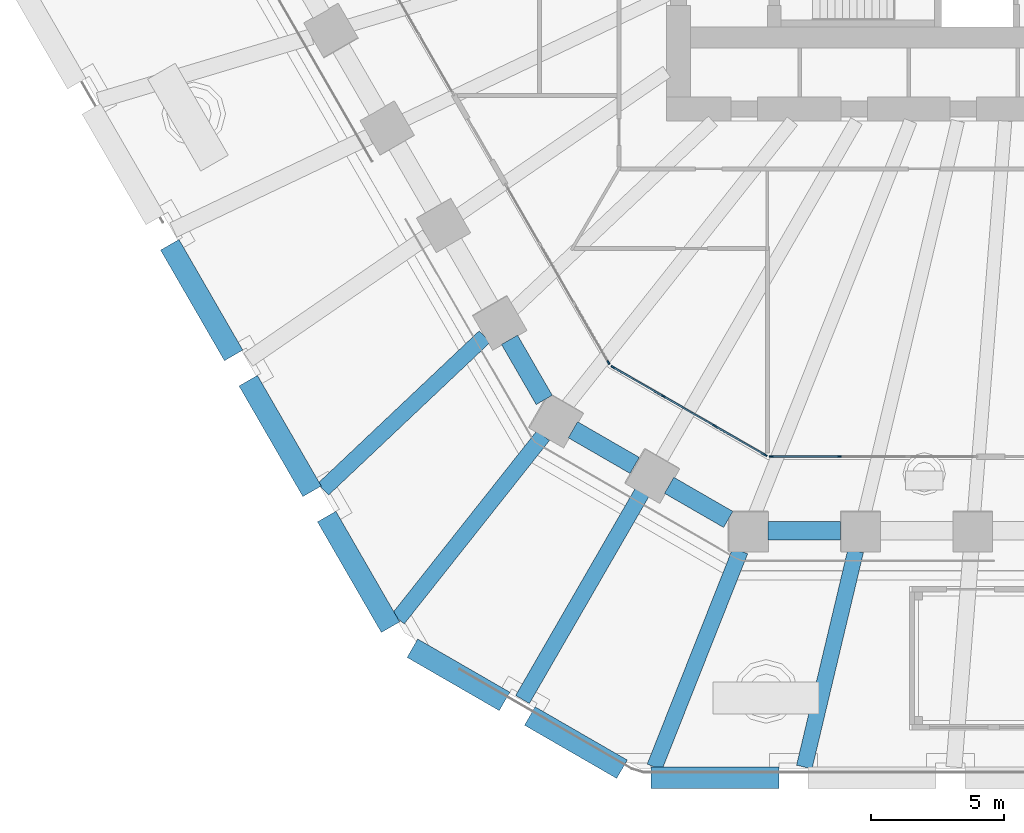
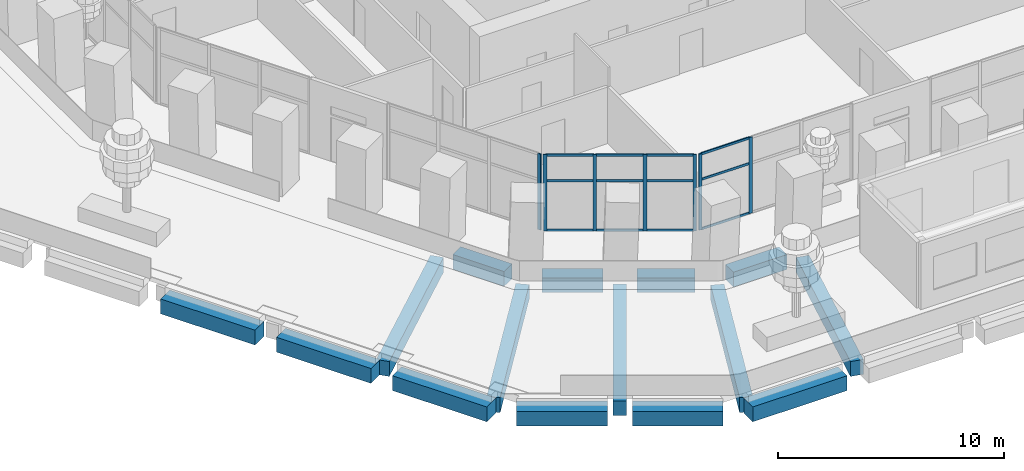
# One storey, part 3 of 32: 19 members, 15 beams, 3 elements without a shape of their own.
"""IFC4 building model written with IfcOpenShell, lengths in metres."""

from ifc_helpers import new_model, si_unit, direction, frame, origin, origin_2d, place, context, subcontext, project, spatial, rectangle, extrude, material, material_profile, profile_set, type_object, element, aggregate, save


model = new_model("IFC4")

# Units and contexts
model_context = context("Model", 3, precision=1e-05, world=origin(), true_north=direction((0.0, 1.0)))
body_context = subcontext(model_context, "Body", "Model", "MODEL_VIEW")
ifc_project = project(units=[si_unit("LENGTHUNIT", "METRE"), si_unit("AREAUNIT", "SQUARE_METRE"), si_unit("VOLUMEUNIT", "CUBIC_METRE"), si_unit("PLANEANGLEUNIT", "RADIAN"), si_unit("MASSUNIT", "GRAM", prefix="KILO")], contexts=[model_context])

# Site, building, storey
site_placement = place(None, origin())
site = spatial("IfcSite", under=ifc_project, at=site_placement, CompositionType="ELEMENT")
building_placement = place(site_placement, origin())
building = spatial("IfcBuilding", under=site, at=building_placement, Name="Frailejon Research Tower", CompositionType="ELEMENT")
storey_placement = place(building_placement, frame((0.0, 0.0, 14.60009765625)))
storey = spatial("IfcBuildingStorey", under=building, at=storey_placement, Name="L03", CompositionType="ELEMENT", Elevation=14.60009765625)

# Beams
ifc_material_1 = material(Name="Concrete C60/75", Category="concrete")
ifc_material_profile_1 = material_profile(ifc_material_1, rectangle(XDim=0.800048828125, YDim=0.800048828125, at=origin_2d()), Name="Base ring beam")
ifc_profile_set_1 = profile_set([ifc_material_profile_1], Name="Concrete C60/75")
beam_type_1 = type_object("IfcBeamType", Name="Base ring beam", PredefinedType="BEAM", material=ifc_profile_set_1)
for number, where, z_axis, x_axis, name in (
    (1, (-32.38037109375, -15.91552734375, -0.800048828125), (0.50000634465, -0.866021740668, 0.0), (0.866021740668, 0.50000634465, 0.0), "Base ring beam"),
    (2, (-29.423583984375, -21.037109375, -0.800048828125), (0.50000634465, -0.866021740668, 0.0), (0.866021740668, 0.50000634465, 0.0), "Base ring beam"),
):
    element("IfcBeam", number, at=place(storey_placement, frame(where, z_axis=z_axis, x_axis=x_axis)), inside=storey, type_object=beam_type_1, Name=name, PredefinedType="BEAM", context=body_context, shape_type="SweptSolid", body=[
        extrude(rectangle(XDim=0.800048828125, YDim=0.800048828125, at=origin_2d()), origin(), (0.0, 0.0, 1.0), 4.81396484375),
    ])
beam_1_placement = place(storey_placement, frame((-26.466552734375, -26.15869140625, -0.800048828125), z_axis=(0.500028306193, -0.866009060579, 0.0), x_axis=(0.866009060579, 0.500028306193, 0.0)))
element("IfcBeam", 3, at=beam_1_placement, inside=storey, type_object=beam_type_1, Name="Base ring beam", PredefinedType="BEAM", context=body_context, shape_type="SweptSolid", body=[
    extrude(rectangle(XDim=0.800048828125, YDim=0.800048828125, at=origin_2d()), origin(), (0.0, 0.0, 1.0), 4.813720703125),
])
for number, where, z_axis, x_axis, name in (
    (4, (-23.234619140625, -31.121337890625, -0.800048828125), (0.866013269967, -0.500021015799, 0.0), (0.500021015799, 0.866013269967, 0.0), "Base ring beam"),
    (5, (-18.808349609375, -33.677001953125, -0.800048828125), (0.866013269967, -0.500021015799, 0.0), (0.500021015799, 0.866013269967, 0.0), "Base ring beam"),
):
    element("IfcBeam", number, at=place(storey_placement, frame(where, z_axis=z_axis, x_axis=x_axis)), inside=storey, type_object=beam_type_1, Name=name, PredefinedType="BEAM", context=body_context, shape_type="SweptSolid", body=[
        extrude(rectangle(XDim=0.800048828125, YDim=0.800048828125, at=origin_2d()), origin(), (0.0, 0.0, 1.0), 4.010986328125),
    ])
beam_2_placement = place(storey_placement, frame((-14.234619140625, -36.0, -0.800048828125), z_axis=(1.0, 0.0, 0.0), x_axis=(0.0, 1.0, 0.0)))
element("IfcBeam", 6, at=beam_2_placement, inside=storey, type_object=beam_type_1, Name="Base ring beam", PredefinedType="BEAM", context=body_context, shape_type="SweptSolid", body=[
    extrude(rectangle(XDim=0.800048828125, YDim=0.800048828125, at=origin_2d()), origin(), (0.0, 0.0, 1.0), 4.813720703125),
])

# Curtain wall, member
ifc_material_2 = material(Name="Aluminium curtain wall", Category="aluminium")
curtain_wall_type = type_object("IfcCurtainWallType", Name="Base zone unitised curtain wall system", PredefinedType="NOTDEFINED", material=ifc_material_2)
curtain_wall_1_placement = place(storey_placement, origin())
curtain_wall_1 = element("IfcCurtainWall", 7, at=curtain_wall_1_placement, inside=storey, type_object=curtain_wall_type, Name="Curtain wall L03", PredefinedType="NOTDEFINED")
ifc_material_3 = material(Name="Aluminium extrusion", Category="aluminium")
ifc_material_profile_2 = material_profile(ifc_material_3, rectangle(XDim=0.06005859375, YDim=0.159912109375, at=origin_2d()), Name="Base zone unitised curtain wall mullion 60x160")
ifc_profile_set_2 = profile_set([ifc_material_profile_2], Name="Aluminium extrusion")
member_type_1 = type_object("IfcMemberType", Name="Base zone unitised curtain wall mullion 60x160", PredefinedType="MULLION", material=ifc_profile_set_2)
member_1_placement = place(storey_placement, frame((-15.84814453125, -20.35009765625, 0.0), z_axis=(0.0, 0.0, 1.0), x_axis=(0.866029434533, 0.499993018474, 0.0)))
member_1 = element("IfcMember", 8, at=member_1_placement, type_object=member_type_1, Name="CW3-056 mullion 4", PredefinedType="MULLION", context=body_context, shape_type="SweptSolid", body=[
    extrude(rectangle(XDim=0.06005859375, YDim=0.159912109375, at=origin_2d()), origin(), (0.0, 0.0, 1.0), 4.099853515625),
])
aggregate(curtain_wall_1, [member_1])

# Curtain wall, members
curtain_wall_2_placement = place(storey_placement, origin())
curtain_wall_2 = element("IfcCurtainWall", 9, at=curtain_wall_2_placement, inside=storey, type_object=curtain_wall_type, Name="Curtain wall L03", PredefinedType="NOTDEFINED")
member_2_placement = place(storey_placement, frame((-15.670654296875, -20.527587890625, 0.0), z_axis=(0.0, 0.0, 1.0), x_axis=(0.499998258782, 0.866026409075, 0.0)))
member_2 = element("IfcMember", 10, at=member_2_placement, type_object=member_type_1, Name="CW3-057 mullion 1", PredefinedType="MULLION", context=body_context, shape_type="SweptSolid", body=[
    extrude(rectangle(XDim=0.06005859375, YDim=0.159912109375, at=origin_2d()), origin(), (0.0, 0.0, 1.0), 4.099853515625),
])
member_3_placement = place(storey_placement, frame((-13.769775390625, -21.625244140625, 0.0), z_axis=(0.0, 0.0, 1.0), x_axis=(0.499998258782, 0.866026409075, 0.0)))
member_3 = element("IfcMember", 11, at=member_3_placement, type_object=member_type_1, Name="CW3-057 mullion 2", PredefinedType="MULLION", context=body_context, shape_type="SweptSolid", body=[
    extrude(rectangle(XDim=0.06005859375, YDim=0.159912109375, at=origin_2d()), origin(), (0.0, 0.0, 1.0), 4.099853515625),
])
member_4_placement = place(storey_placement, frame((-11.843017578125, -22.737548828125, 0.0), z_axis=(0.0, 0.0, 1.0), x_axis=(0.499998258782, 0.866026409075, 0.0)))
member_4 = element("IfcMember", 12, at=member_4_placement, type_object=member_type_1, Name="CW3-057 mullion 3", PredefinedType="MULLION", context=body_context, shape_type="SweptSolid", body=[
    extrude(rectangle(XDim=0.06005859375, YDim=0.159912109375, at=origin_2d()), origin(), (0.0, 0.0, 1.0), 4.099853515625),
])
member_5_placement = place(storey_placement, frame((-9.942138671875, -23.8349609375, 0.0), z_axis=(0.0, 0.0, 1.0), x_axis=(0.499998258782, 0.866026409075, 0.0)))
member_5 = element("IfcMember", 13, at=member_5_placement, type_object=member_type_1, Name="CW3-057 mullion 4", PredefinedType="MULLION", context=body_context, shape_type="SweptSolid", body=[
    extrude(rectangle(XDim=0.06005859375, YDim=0.159912109375, at=origin_2d()), origin(), (0.0, 0.0, 1.0), 4.099853515625),
])

curtain_wall_3_placement = place(storey_placement, origin())
curtain_wall_3 = element("IfcCurtainWall", 14, at=curtain_wall_3_placement, inside=storey, type_object=curtain_wall_type, Name="Curtain wall L03", PredefinedType="NOTDEFINED")
member_6_placement = place(storey_placement, frame((-9.69970703125, -23.89990234375, 0.0), z_axis=(0.0, 0.0, 1.0), x_axis=(0.0, 1.0, 0.0)))
member_6 = element("IfcMember", 15, at=member_6_placement, type_object=member_type_1, Name="CW3-058 mullion 1", PredefinedType="MULLION", context=body_context, shape_type="SweptSolid", body=[
    extrude(rectangle(XDim=0.06005859375, YDim=0.159912109375, at=origin_2d()), origin(), (0.0, 0.0, 1.0), 4.099853515625),
])
member_7_placement = place(storey_placement, frame((-7.1416015625, -23.89990234375, 0.0), z_axis=(0.0, 0.0, 1.0), x_axis=(0.0, 1.0, 0.0)))
member_7 = element("IfcMember", 16, at=member_7_placement, type_object=member_type_1, Name="CW3-058 mullion 2", PredefinedType="MULLION", context=body_context, shape_type="SweptSolid", body=[
    extrude(rectangle(XDim=0.06005859375, YDim=0.159912109375, at=origin_2d()), origin(), (0.0, 0.0, 1.0), 4.099853515625),
])

# Member
ifc_material_4 = material(Name="Aluminium extrusion", Category="aluminium")
ifc_material_profile_3 = material_profile(ifc_material_4, rectangle(XDim=0.06005859375, YDim=0.1201171875, at=origin_2d()), Name="Base zone unitised curtain wall transom 60x120")
ifc_profile_set_3 = profile_set([ifc_material_profile_3], Name="Aluminium extrusion")
member_type_2 = type_object("IfcMemberType", Name="Base zone unitised curtain wall transom 60x120", PredefinedType="USERDEFINED", material=ifc_profile_set_3)
member_8_placement = place(storey_placement, frame((-15.64453125, -20.542724609375, 0.02978515625), z_axis=(0.866010359988, -0.500026055714, 0.0), x_axis=(0.500026055714, 0.866010359988, 0.0)))
member_8 = element("IfcMember", 17, at=member_8_placement, type_object=member_type_2, Name="CW3-057 transom 1.1", ObjectType="TRANSOM", PredefinedType="USERDEFINED", context=body_context, shape_type="SweptSolid", body=[
    extrude(rectangle(XDim=0.06005859375, YDim=0.1201171875, at=origin_2d()), origin(), (0.0, 0.0, 1.0), 2.134765625),
])

member_9_placement = place(storey_placement, frame((-15.64453125, -20.542724609375, 2.699951171875), z_axis=(0.866010359988, -0.500026055714, 0.0), x_axis=(0.500026055714, 0.866010359988, 0.0)))
member_9 = element("IfcMember", 18, at=member_9_placement, type_object=member_type_2, Name="CW3-057 transom 1.2", ObjectType="TRANSOM", PredefinedType="USERDEFINED", context=body_context, shape_type="SweptSolid", body=[
    extrude(rectangle(XDim=0.06005859375, YDim=0.1201171875, at=origin_2d()), origin(), (0.0, 0.0, 1.0), 2.134765625),
])

member_10_placement = place(storey_placement, frame((-15.64453125, -20.542724609375, 4.06982421875), z_axis=(0.866010359988, -0.500026055714, 0.0), x_axis=(0.500026055714, 0.866010359988, 0.0)))
member_10 = element("IfcMember", 19, at=member_10_placement, type_object=member_type_2, Name="CW3-057 transom 1.3", ObjectType="TRANSOM", PredefinedType="USERDEFINED", context=body_context, shape_type="SweptSolid", body=[
    extrude(rectangle(XDim=0.06005859375, YDim=0.1201171875, at=origin_2d()), origin(), (0.0, 0.0, 1.0), 2.134765625),
])

member_11_placement = place(storey_placement, frame((-13.743896484375, -21.64013671875, 0.02978515625), z_axis=(0.866027848477, -0.499995765644, 0.0), x_axis=(0.499995765644, 0.866027848477, 0.0)))
member_11 = element("IfcMember", 20, at=member_11_placement, type_object=member_type_2, Name="CW3-057 transom 2.1", ObjectType="TRANSOM", PredefinedType="USERDEFINED", context=body_context, shape_type="SweptSolid", body=[
    extrude(rectangle(XDim=0.06005859375, YDim=0.1201171875, at=origin_2d()), origin(), (0.0, 0.0, 1.0), 2.1650390625),
])

member_12_placement = place(storey_placement, frame((-13.743896484375, -21.64013671875, 2.699951171875), z_axis=(0.866027848477, -0.499995765644, 0.0), x_axis=(0.499995765644, 0.866027848477, 0.0)))
member_12 = element("IfcMember", 21, at=member_12_placement, type_object=member_type_2, Name="CW3-057 transom 2.2", ObjectType="TRANSOM", PredefinedType="USERDEFINED", context=body_context, shape_type="SweptSolid", body=[
    extrude(rectangle(XDim=0.06005859375, YDim=0.1201171875, at=origin_2d()), origin(), (0.0, 0.0, 1.0), 2.1650390625),
])

member_13_placement = place(storey_placement, frame((-13.743896484375, -21.64013671875, 4.06982421875), z_axis=(0.866027848477, -0.499995765644, 0.0), x_axis=(0.499995765644, 0.866027848477, 0.0)))
member_13 = element("IfcMember", 22, at=member_13_placement, type_object=member_type_2, Name="CW3-057 transom 2.3", ObjectType="TRANSOM", PredefinedType="USERDEFINED", context=body_context, shape_type="SweptSolid", body=[
    extrude(rectangle(XDim=0.06005859375, YDim=0.1201171875, at=origin_2d()), origin(), (0.0, 0.0, 1.0), 2.1650390625),
])

member_14_placement = place(storey_placement, frame((-11.817138671875, -22.752685546875, 0.02978515625), z_axis=(0.866038951244, -0.499976534377, 0.0), x_axis=(0.499976534377, 0.866038951244, 0.0)))
member_14 = element("IfcMember", 23, at=member_14_placement, type_object=member_type_2, Name="CW3-057 transom 3.1", ObjectType="TRANSOM", PredefinedType="USERDEFINED", context=body_context, shape_type="SweptSolid", body=[
    extrude(rectangle(XDim=0.06005859375, YDim=0.1201171875, at=origin_2d()), origin(), (0.0, 0.0, 1.0), 2.134765625),
])

member_15_placement = place(storey_placement, frame((-11.817138671875, -22.752685546875, 2.699951171875), z_axis=(0.866038951244, -0.499976534377, 0.0), x_axis=(0.499976534377, 0.866038951244, 0.0)))
member_15 = element("IfcMember", 24, at=member_15_placement, type_object=member_type_2, Name="CW3-057 transom 3.2", ObjectType="TRANSOM", PredefinedType="USERDEFINED", context=body_context, shape_type="SweptSolid", body=[
    extrude(rectangle(XDim=0.06005859375, YDim=0.1201171875, at=origin_2d()), origin(), (0.0, 0.0, 1.0), 2.134765625),
])

member_16_placement = place(storey_placement, frame((-11.817138671875, -22.752685546875, 4.06982421875), z_axis=(0.866038951244, -0.499976534377, 0.0), x_axis=(0.499976534377, 0.866038951244, 0.0)))
member_16 = element("IfcMember", 25, at=member_16_placement, type_object=member_type_2, Name="CW3-057 transom 3.3", ObjectType="TRANSOM", PredefinedType="USERDEFINED", context=body_context, shape_type="SweptSolid", body=[
    extrude(rectangle(XDim=0.06005859375, YDim=0.1201171875, at=origin_2d()), origin(), (0.0, 0.0, 1.0), 2.134765625),
])

aggregate(curtain_wall_2, [member_2, member_3, member_4, member_5, member_8, member_9, member_10, member_11, member_12, member_13, member_14, member_15, member_16])

member_17_placement = place(storey_placement, frame((-9.669677734375, -23.89990234375, 0.02978515625), z_axis=(1.0, 0.0, 0.0), x_axis=(0.0, 1.0, 0.0)))
member_17 = element("IfcMember", 26, at=member_17_placement, type_object=member_type_2, Name="CW3-058 transom 1.1", ObjectType="TRANSOM", PredefinedType="USERDEFINED", context=body_context, shape_type="SweptSolid", body=[
    extrude(rectangle(XDim=0.06005859375, YDim=0.1201171875, at=origin_2d()), origin(), (0.0, 0.0, 1.0), 2.498046875),
])

member_18_placement = place(storey_placement, frame((-9.669677734375, -23.89990234375, 2.699951171875), z_axis=(1.0, 0.0, 0.0), x_axis=(0.0, 1.0, 0.0)))
member_18 = element("IfcMember", 27, at=member_18_placement, type_object=member_type_2, Name="CW3-058 transom 1.2", ObjectType="TRANSOM", PredefinedType="USERDEFINED", context=body_context, shape_type="SweptSolid", body=[
    extrude(rectangle(XDim=0.06005859375, YDim=0.1201171875, at=origin_2d()), origin(), (0.0, 0.0, 1.0), 2.498046875),
])

member_19_placement = place(storey_placement, frame((-9.669677734375, -23.89990234375, 4.06982421875), z_axis=(1.0, 0.0, 0.0), x_axis=(0.0, 1.0, 0.0)))
member_19 = element("IfcMember", 28, at=member_19_placement, type_object=member_type_2, Name="CW3-058 transom 1.3", ObjectType="TRANSOM", PredefinedType="USERDEFINED", context=body_context, shape_type="SweptSolid", body=[
    extrude(rectangle(XDim=0.06005859375, YDim=0.1201171875, at=origin_2d()), origin(), (0.0, 0.0, 1.0), 2.498046875),
])

aggregate(curtain_wall_3, [member_6, member_7, member_17, member_18, member_19])

# Beams
ifc_material_5 = material(Name="Concrete C60/75", Category="concrete")
ifc_material_profile_4 = material_profile(ifc_material_5, rectangle(XDim=0.60009765625, YDim=0.800048828125, at=origin_2d()), Name="Deck girder")
ifc_profile_set_4 = profile_set([ifc_material_profile_4], Name="Concrete C60/75")
beam_type_2 = type_object("IfcBeamType", Name="Deck girder", PredefinedType="BEAM", material=ifc_profile_set_4)
beam_3_placement = place(storey_placement, frame((-20.50927734375, -19.376953125, -0.800048828125), z_axis=(-0.726887862769, -0.68675616849, 0.0), x_axis=(0.68675616849, -0.726887862769, 0.0)))
element("IfcBeam", 29, at=beam_3_placement, inside=storey, type_object=beam_type_2, Name="Deck girder", PredefinedType="BEAM", context=body_context, shape_type="SweptSolid", body=[
    extrude(rectangle(XDim=0.60009765625, YDim=0.800048828125, at=origin_2d()), origin(), (0.0, 0.0, 1.0), 8.376953125),
])
beam_4_placement = place(storey_placement, frame((-18.3037109375, -23.106689453125, -0.800048828125), z_axis=(-0.620915030495, -0.78387787627, 0.0), x_axis=(0.78387787627, -0.620915030495, 0.0)))
element("IfcBeam", 30, at=beam_4_placement, inside=storey, type_object=beam_type_2, Name="Deck girder", PredefinedType="BEAM", context=body_context, shape_type="SweptSolid", body=[
    extrude(rectangle(XDim=0.60009765625, YDim=0.800048828125, at=origin_2d()), origin(), (0.0, 0.0, 1.0), 8.81494140625),
])
beam_5_placement = place(storey_placement, frame((-14.581298828125, -25.255615234375, -0.800048828125), z_axis=(-0.500016540626, -0.866015853839, 0.0), x_axis=(0.866015853839, -0.500016540626, 0.0)))
element("IfcBeam", 31, at=beam_5_placement, inside=storey, type_object=beam_type_2, Name="Deck girder", PredefinedType="BEAM", context=body_context, shape_type="SweptSolid", body=[
    extrude(rectangle(XDim=0.60009765625, YDim=0.800048828125, at=origin_2d()), origin(), (0.0, 0.0, 1.0), 9.006591796875),
])
beam_6_placement = place(storey_placement, frame((-10.877197265625, -27.449951171875, -0.800048828125), z_axis=(-0.368358918265, -0.929683659819, 0.0), x_axis=(0.929683659819, -0.368358918265, 0.0)))
element("IfcBeam", 32, at=beam_6_placement, inside=storey, type_object=beam_type_2, Name="Deck girder", PredefinedType="BEAM", context=body_context, shape_type="SweptSolid", body=[
    extrude(rectangle(XDim=0.60009765625, YDim=0.800048828125, at=origin_2d()), origin(), (0.0, 0.0, 1.0), 8.7666015625),
])
beam_7_placement = place(storey_placement, frame((-6.526123046875, -27.449951171875, -0.800048828125), z_axis=(-0.231307947353, -0.972880585422, 0.0), x_axis=(0.972880585422, -0.231307947353, 0.0)))
element("IfcBeam", 33, at=beam_7_placement, inside=storey, type_object=beam_type_2, Name="Deck girder", PredefinedType="BEAM", context=body_context, shape_type="SweptSolid", body=[
    extrude(rectangle(XDim=0.60009765625, YDim=0.800048828125, at=origin_2d()), origin(), (0.0, 0.0, 1.0), 8.37744140625),
])
ifc_material_6 = material(Name="Concrete C60/75", Category="concrete")
ifc_material_profile_5 = material_profile(ifc_material_6, rectangle(XDim=0.699951171875, YDim=0.800048828125, at=origin_2d()), Name="Spandrel 700x800")
ifc_profile_set_5 = profile_set([ifc_material_profile_5], Name="Concrete C60/75")
beam_type_3 = type_object("IfcBeamType", Name="Spandrel 700x800", PredefinedType="BEAM", material=ifc_profile_set_5)
beam_8_placement = place(storey_placement, frame((-19.573974609375, -19.4970703125, -0.75), z_axis=(0.500053675867, -0.86599441179, 0.0), x_axis=(0.86599441179, 0.500053675867, 0.0)))
element("IfcBeam", 34, at=beam_8_placement, inside=storey, type_object=beam_type_3, Name="Spandrel 700x800", PredefinedType="BEAM", context=body_context, shape_type="SweptSolid", body=[
    extrude(rectangle(XDim=0.699951171875, YDim=0.800048828125, at=origin_2d()), origin(), (0.0, 0.0, 1.0), 2.615966796875),
])
beam_9_placement = place(storey_placement, frame((-17.183349609375, -22.887451171875, -0.75), z_axis=(0.866020687897, -0.500008168067, 0.0), x_axis=(0.500008168067, 0.866020687897, 0.0)))
element("IfcBeam", 35, at=beam_9_placement, inside=storey, type_object=beam_type_3, Name="Spandrel 700x800", PredefinedType="BEAM", context=body_context, shape_type="SweptSolid", body=[
    extrude(rectangle(XDim=0.699951171875, YDim=0.800048828125, at=origin_2d()), origin(), (0.0, 0.0, 1.0), 2.6875),
])
beam_10_placement = place(storey_placement, frame((-13.556884765625, -24.981201171875, -0.75), z_axis=(0.866008514048, -0.50002925274, 0.0), x_axis=(0.50002925274, 0.866008514048, 0.0)))
element("IfcBeam", 36, at=beam_10_placement, inside=storey, type_object=beam_type_3, Name="Spandrel 700x800", PredefinedType="BEAM", context=body_context, shape_type="SweptSolid", body=[
    extrude(rectangle(XDim=0.699951171875, YDim=0.800048828125, at=origin_2d()), origin(), (0.0, 0.0, 1.0), 2.571533203125),
])
beam_11_placement = place(storey_placement, frame((-9.829833984375, -26.699951171875, -0.75), z_axis=(1.0, 0.0, 0.0), x_axis=(0.0, 1.0, 0.0)))
element("IfcBeam", 37, at=beam_11_placement, inside=storey, type_object=beam_type_3, Name="Spandrel 700x800", PredefinedType="BEAM", context=body_context, shape_type="SweptSolid", body=[
    extrude(rectangle(XDim=0.699951171875, YDim=0.800048828125, at=origin_2d()), origin(), (0.0, 0.0, 1.0), 2.73193359375),
])

save(model, "model.ifc")
